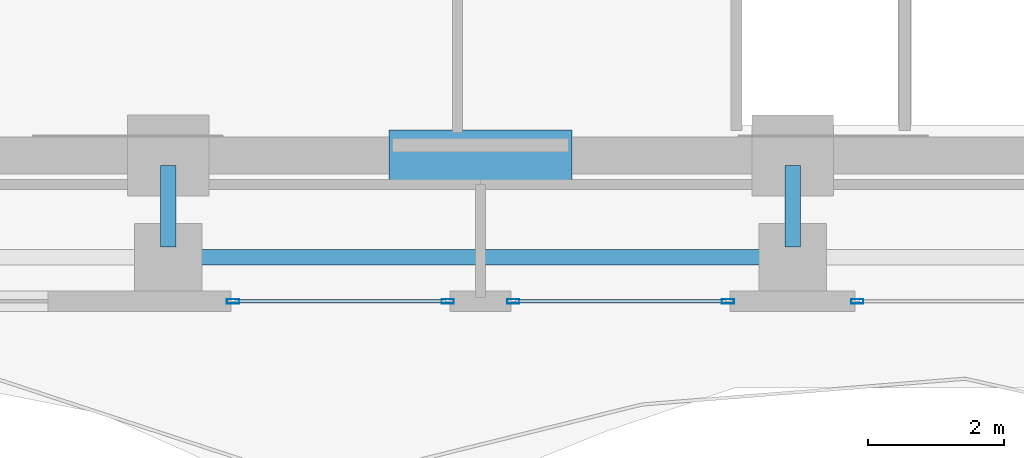
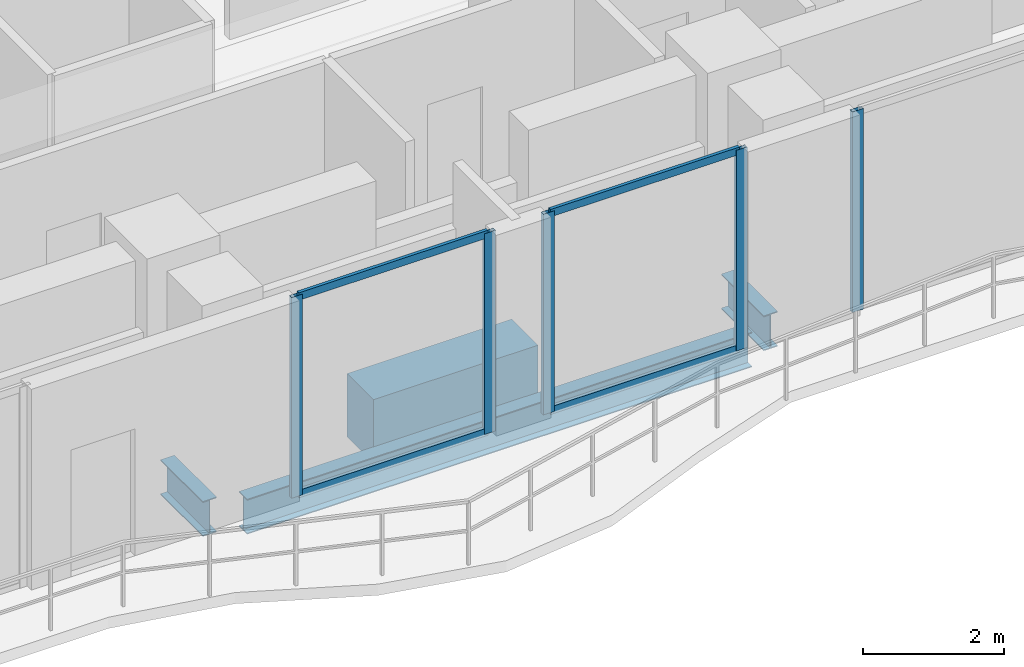
# One storey, part 4 of 23: 9 members, 4 beams, 3 elements without a shape of their own.
"""IFC4 building model written with IfcOpenShell, lengths in metres."""

from ifc_helpers import new_model, si_unit, direction, frame, origin, origin_2d, place, context, subcontext, project, spatial, rectangle, hollow_rectangle, i_section, extrude, material, layer, layer_set, material_profile, profile_set, type_object, element, aggregate, save


model = new_model("IFC4")

# Units and contexts
model_context = context("Model", 3, precision=1e-05, world=origin(), true_north=direction((0.0, 1.0)))
body_context = subcontext(model_context, "Body", "Model", "MODEL_VIEW")
ifc_project = project(units=[si_unit("LENGTHUNIT", "METRE"), si_unit("AREAUNIT", "SQUARE_METRE"), si_unit("VOLUMEUNIT", "CUBIC_METRE"), si_unit("PLANEANGLEUNIT", "RADIAN"), si_unit("MASSUNIT", "GRAM", prefix="KILO")], contexts=[model_context])

# Site, building, storey
site_placement = place(None, origin())
site = spatial("IfcSite", under=ifc_project, at=site_placement, CompositionType="ELEMENT")
building_placement = place(site_placement, origin())
building = spatial("IfcBuilding", under=site, at=building_placement, Name="Zuhayl Quay Hotel", CompositionType="ELEMENT")
storey_placement = place(building_placement, frame((0.0, 0.0, 272.949951171875)))
storey = spatial("IfcBuildingStorey", under=building, at=storey_placement, Name="L69", CompositionType="ELEMENT", Elevation=272.949951171875)

# Beams
ifc_material_1 = material(Name="Steel ASTM A992 Grade 50", Category="steel")
ifc_material_profile_1 = material_profile(ifc_material_1, i_section(OverallWidth=0.22802734375, OverallDepth=0.60693359375, WebThickness=0.01123046875, FlangeThickness=0.017333984375, at=origin_2d()), Name="W24X76")
ifc_profile_set_1 = profile_set([ifc_material_profile_1], Name="Steel ASTM A992 Grade 50")
beam_type_1 = type_object("IfcBeamType", Name="BM_B3_W24X76", PredefinedType="BEAM", material=ifc_profile_set_1)
beam_1_placement = place(storey_placement, frame((-4.139892578125, 0.64990234375, -0.5234375), z_axis=(1.0, 0.0, 0.0), x_axis=(0.0, 1.0, 0.0)))
element("IfcBeam", 1, at=beam_1_placement, inside=storey, type_object=beam_type_1, Name="L69 Floor Beam RG_L69_02", PredefinedType="BEAM", context=body_context, shape_type="SweptSolid", body=[
    extrude(i_section(OverallWidth=0.22802734375, OverallDepth=0.60693359375, WebThickness=0.01123046875, FlangeThickness=0.017333984375, at=origin_2d()), origin(), (0.0, 0.0, 1.0), 8.27978515625),
])
for number, where, z_axis, x_axis, name in (
    (2, (-4.60009765625, 0.800048828125, -0.5234375), (0.0, 1.0, 0.0), (-1.0, 0.0, 0.0), "L69 Floor Beam FG_S_L69_2"),
    (3, (4.60009765625, 0.800048828125, -0.5234375), (0.0, 1.0, 0.0), (-1.0, 0.0, 0.0), "L69 Floor Beam FG_S_L69_3"),
):
    element("IfcBeam", number, at=place(storey_placement, frame(where, z_axis=z_axis, x_axis=x_axis)), inside=storey, type_object=beam_type_1, Name=name, PredefinedType="BEAM", context=body_context, shape_type="SweptSolid", body=[
        extrude(i_section(OverallWidth=0.22802734375, OverallDepth=0.60693359375, WebThickness=0.01123046875, FlangeThickness=0.017333984375, at=origin_2d()), origin(), (0.0, 0.0, 1.0), 1.199951171875),
    ])
ifc_material_2 = material(Name="Concrete C60/75", Category="concrete")
ifc_material_profile_2 = material_profile(ifc_material_2, rectangle(XDim=0.75, YDim=1.10009765625, at=origin_2d()), Name="RC750X1100")
ifc_profile_set_2 = profile_set([ifc_material_profile_2], Name="Concrete C60/75")
beam_type_2 = type_object("IfcBeamType", Name="BM_CB2_RC750", PredefinedType="T_BEAM", material=ifc_profile_set_2)
beam_2_placement = place(storey_placement, frame((-1.35009765625, 2.14990234375, -0.77001953125), z_axis=(1.0, 0.0, 0.0), x_axis=(0.0, 1.0, 0.0)))
element("IfcBeam", 4, at=beam_2_placement, inside=storey, type_object=beam_type_2, Name="L69 Core Coupling Beam South", PredefinedType="T_BEAM", context=body_context, shape_type="SweptSolid", body=[
    extrude(rectangle(XDim=0.75, YDim=1.10009765625, at=origin_2d()), origin(), (0.0, 0.0, 1.0), 2.7001953125),
])

# Curtain wall, member
ifc_material_3 = material(Name="Anodised Aluminium 6063-T6", Category="aluminium")
ifc_layer = layer(ifc_material_3, 0.169921875, Name="Anodised Aluminium 6063-T6", Category="aluminium")
ifc_layer_set = layer_set([ifc_layer], Name="Anodised Aluminium 6063-T6")
curtain_wall_type = type_object("IfcCurtainWallType", Name="CW_SYS_Z4", PredefinedType="USERDEFINED", material=ifc_layer_set)
curtain_wall_1_placement = place(storey_placement, origin())
curtain_wall_1 = element("IfcCurtainWall", 5, at=curtain_wall_1_placement, inside=storey, type_object=curtain_wall_type, Name="L69 Curtain Wall ENV_L69_S_CW1", ObjectType="UNITISED CURTAIN WALL", PredefinedType="USERDEFINED")
ifc_material_4 = material(Name="Black-anodised aluminium 6063-T6", Category="aluminium")
ifc_material_profile_3 = material_profile(ifc_material_4, hollow_rectangle(XDim=0.06494140625, YDim=0.179931640625, WallThickness=0.00341796875, at=origin_2d()), Name="ALU180X65")
ifc_profile_set_3 = profile_set([ifc_material_profile_3], Name="Black-anodised aluminium 6063-T6")
member_type_1 = type_object("IfcMemberType", Name="MB_CW_MUL_180", PredefinedType="MULLION", material=ifc_profile_set_3)
member_1_placement = place(storey_placement, frame((5.552490234375, 0.0, 0.0), z_axis=(0.0, 0.0, 1.0), x_axis=(0.0, -1.0, 0.0)))
member_1 = element("IfcMember", 6, at=member_1_placement, type_object=member_type_1, Name="CW-Z4 mullion 2", PredefinedType="MULLION", context=body_context, shape_type="SweptSolid", body=[
    extrude(hollow_rectangle(XDim=0.06494140625, YDim=0.179931640625, WallThickness=0.00341796875, at=origin_2d()), origin(), (0.0, 0.0, 1.0), 3.47998046875),
])
aggregate(curtain_wall_1, [member_1])

# Curtain wall, members
curtain_wall_2_placement = place(storey_placement, origin())
curtain_wall_2 = element("IfcCurtainWall", 7, at=curtain_wall_2_placement, inside=storey, type_object=curtain_wall_type, Name="L69 Curtain Wall ENV_L69_S_CW2", ObjectType="UNITISED CURTAIN WALL", PredefinedType="USERDEFINED")
member_2_placement = place(storey_placement, frame((3.6474609375, 0.0, 0.0), z_axis=(0.0, 0.0, 1.0), x_axis=(0.0, -1.0, 0.0)))
member_2 = element("IfcMember", 8, at=member_2_placement, type_object=member_type_1, Name="CW-Z4 mullion 1", PredefinedType="MULLION", context=body_context, shape_type="SweptSolid", body=[
    extrude(hollow_rectangle(XDim=0.06494140625, YDim=0.179931640625, WallThickness=0.00341796875, at=origin_2d()), origin(), (0.0, 0.0, 1.0), 3.47998046875),
])
member_3_placement = place(storey_placement, frame((0.482421875, 0.0, 0.0), z_axis=(0.0, 0.0, 1.0), x_axis=(0.0, -1.0, 0.0)))
member_3 = element("IfcMember", 9, at=member_3_placement, type_object=member_type_1, Name="CW-Z4 mullion 2", PredefinedType="MULLION", context=body_context, shape_type="SweptSolid", body=[
    extrude(hollow_rectangle(XDim=0.06494140625, YDim=0.179931640625, WallThickness=0.00341796875, at=origin_2d()), origin(), (0.0, 0.0, 1.0), 3.47998046875),
])

curtain_wall_3_placement = place(storey_placement, origin())
curtain_wall_3 = element("IfcCurtainWall", 10, at=curtain_wall_3_placement, inside=storey, type_object=curtain_wall_type, Name="L69 Curtain Wall ENV_L69_S_CW3", ObjectType="UNITISED CURTAIN WALL", PredefinedType="USERDEFINED")
member_4_placement = place(storey_placement, frame((-0.482421875, 0.0, 0.0), z_axis=(0.0, 0.0, 1.0), x_axis=(0.0, -1.0, 0.0)))
member_4 = element("IfcMember", 11, at=member_4_placement, type_object=member_type_1, Name="CW-Z4 mullion 1", PredefinedType="MULLION", context=body_context, shape_type="SweptSolid", body=[
    extrude(hollow_rectangle(XDim=0.06494140625, YDim=0.179931640625, WallThickness=0.00341796875, at=origin_2d()), origin(), (0.0, 0.0, 1.0), 3.47998046875),
])
member_5_placement = place(storey_placement, frame((-3.6474609375, 0.0, 0.0), z_axis=(0.0, 0.0, 1.0), x_axis=(0.0, -1.0, 0.0)))
member_5 = element("IfcMember", 12, at=member_5_placement, type_object=member_type_1, Name="CW-Z4 mullion 2", PredefinedType="MULLION", context=body_context, shape_type="SweptSolid", body=[
    extrude(hollow_rectangle(XDim=0.06494140625, YDim=0.179931640625, WallThickness=0.00341796875, at=origin_2d()), origin(), (0.0, 0.0, 1.0), 3.47998046875),
])

# Member
ifc_material_profile_4 = material_profile(ifc_material_4, hollow_rectangle(XDim=0.054931640625, YDim=0.1298828125, WallThickness=0.0029296875, at=origin_2d()), Name="ALU130X55")
ifc_profile_set_4 = profile_set([ifc_material_profile_4], Name="Black-anodised aluminium 6063-T6")
member_type_2 = type_object("IfcMemberType", Name="MB_CW_TRN_130", PredefinedType="USERDEFINED", material=ifc_profile_set_4)
member_6_placement = place(storey_placement, frame((3.614990234375, 0.0, 0.027587890625), z_axis=(-1.0, 0.0, 0.0), x_axis=(0.0, -1.0, 0.0)))
member_6 = element("IfcMember", 13, at=member_6_placement, type_object=member_type_2, Name="CW-Z4 transom 1.1", ObjectType="TRANSOM", PredefinedType="USERDEFINED", context=body_context, shape_type="SweptSolid", body=[
    extrude(hollow_rectangle(XDim=0.054931640625, YDim=0.1298828125, WallThickness=0.0029296875, at=origin_2d()), origin(), (0.0, 0.0, 1.0), 3.10009765625),
])

member_7_placement = place(storey_placement, frame((3.614990234375, 0.0, 3.45263671875), z_axis=(-1.0, 0.0, 0.0), x_axis=(0.0, -1.0, 0.0)))
member_7 = element("IfcMember", 14, at=member_7_placement, type_object=member_type_2, Name="CW-Z4 transom 1.2", ObjectType="TRANSOM", PredefinedType="USERDEFINED", context=body_context, shape_type="SweptSolid", body=[
    extrude(hollow_rectangle(XDim=0.054931640625, YDim=0.1298828125, WallThickness=0.0029296875, at=origin_2d()), origin(), (0.0, 0.0, 1.0), 3.10009765625),
])

aggregate(curtain_wall_2, [member_2, member_3, member_6, member_7])

member_8_placement = place(storey_placement, frame((-0.514892578125, 0.0, 0.027587890625), z_axis=(-1.0, 0.0, 0.0), x_axis=(0.0, -1.0, 0.0)))
member_8 = element("IfcMember", 15, at=member_8_placement, type_object=member_type_2, Name="CW-Z4 transom 1.1", ObjectType="TRANSOM", PredefinedType="USERDEFINED", context=body_context, shape_type="SweptSolid", body=[
    extrude(hollow_rectangle(XDim=0.054931640625, YDim=0.1298828125, WallThickness=0.0029296875, at=origin_2d()), origin(), (0.0, 0.0, 1.0), 3.10009765625),
])

member_9_placement = place(storey_placement, frame((-0.514892578125, 0.0, 3.45263671875), z_axis=(-1.0, 0.0, 0.0), x_axis=(0.0, -1.0, 0.0)))
member_9 = element("IfcMember", 16, at=member_9_placement, type_object=member_type_2, Name="CW-Z4 transom 1.2", ObjectType="TRANSOM", PredefinedType="USERDEFINED", context=body_context, shape_type="SweptSolid", body=[
    extrude(hollow_rectangle(XDim=0.054931640625, YDim=0.1298828125, WallThickness=0.0029296875, at=origin_2d()), origin(), (0.0, 0.0, 1.0), 3.10009765625),
])

aggregate(curtain_wall_3, [member_4, member_5, member_8, member_9])

save(model, "model.ifc")
